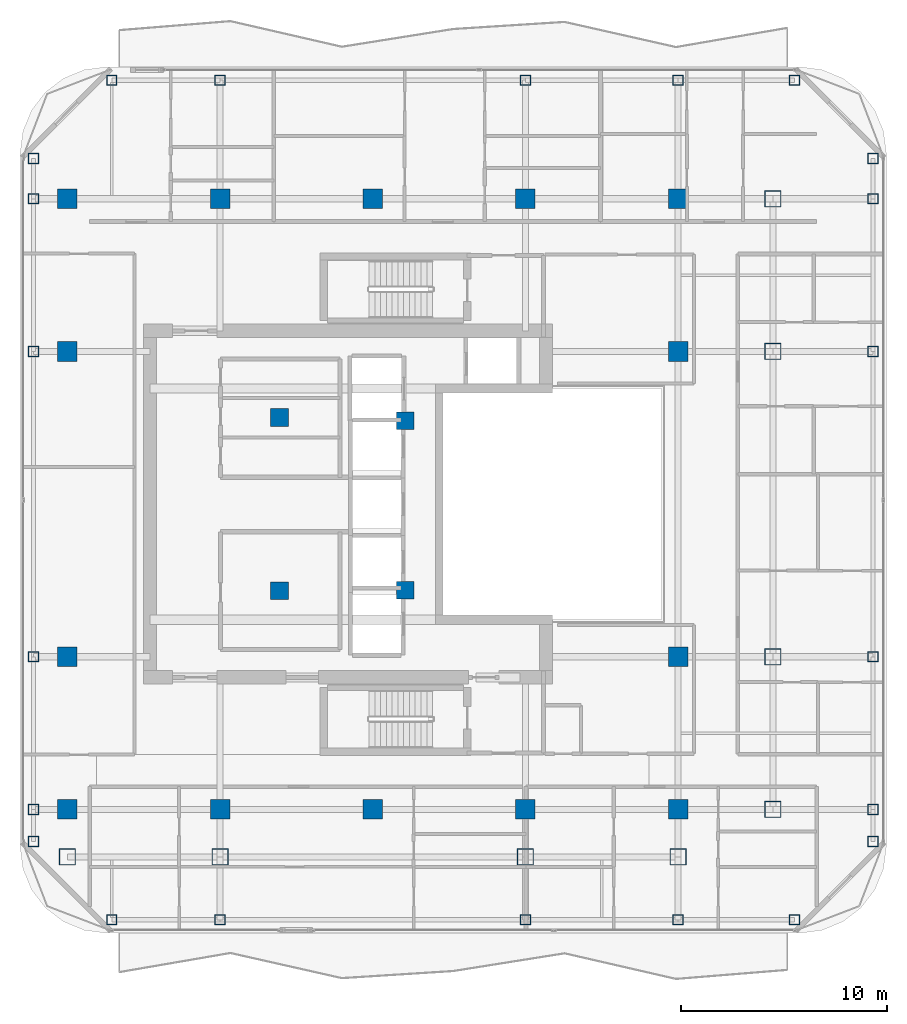
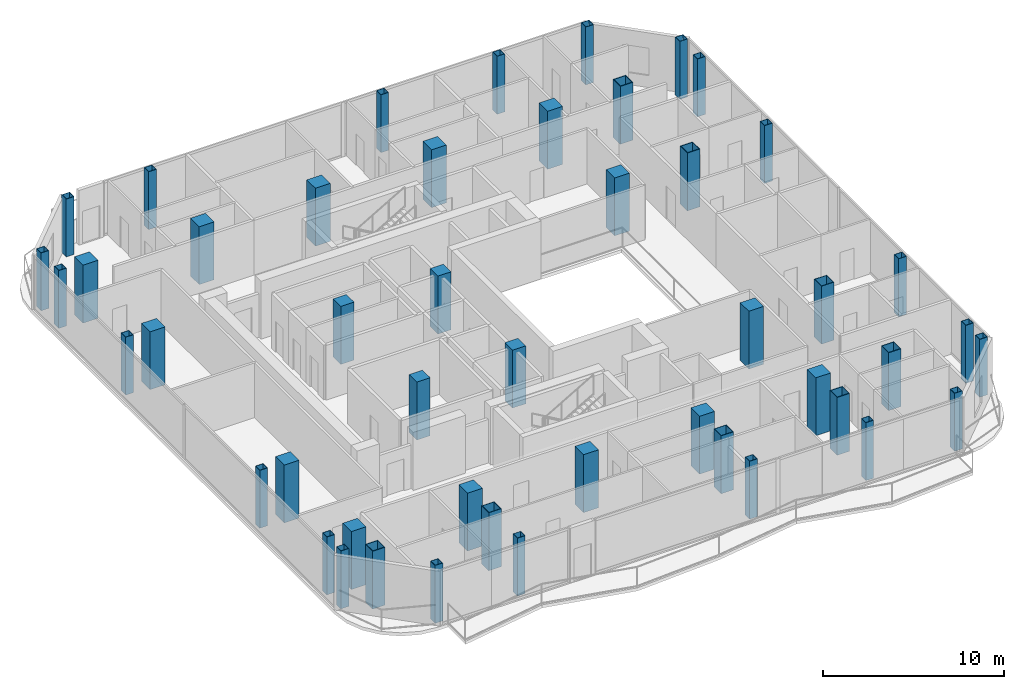
# One storey, part 1 of 23: 48 columns.
"""IFC4 building model written with IfcOpenShell, lengths in metres."""

from ifc_helpers import new_model, si_unit, direction, frame, origin, origin_2d, place, context, subcontext, project, spatial, rectangle, hollow_rectangle, extrude, material, material_profile, profile_set, type_object, element, save


model = new_model("IFC4")

# Units and contexts
model_context = context("Model", 3, precision=1e-05, world=origin(), true_north=direction((0.0, 1.0)))
body_context = subcontext(model_context, "Body", "Model", "MODEL_VIEW")
ifc_project = project(units=[si_unit("LENGTHUNIT", "METRE"), si_unit("AREAUNIT", "SQUARE_METRE"), si_unit("VOLUMEUNIT", "CUBIC_METRE"), si_unit("PLANEANGLEUNIT", "RADIAN"), si_unit("MASSUNIT", "GRAM", prefix="KILO")], contexts=[model_context])

# Site, building, storey
site_placement = place(None, origin())
site = spatial("IfcSite", under=ifc_project, at=site_placement, CompositionType="ELEMENT")
building_placement = place(site_placement, origin())
building = spatial("IfcBuilding", under=site, at=building_placement, Name="Khorvyn Point Tower", CompositionType="ELEMENT")
storey_placement = place(building_placement, frame((0.0, 0.0, 258.60009765625)))
storey = spatial("IfcBuildingStorey", under=building, at=storey_placement, Name="L63", CompositionType="ELEMENT", Elevation=258.60009765625)

# Columns
ifc_material_1 = material(Name="Concrete C40/50", Category="concrete")
ifc_material_profile_1 = material_profile(ifc_material_1, rectangle(XDim=0.85009765625, YDim=0.85009765625, at=origin_2d()))
ifc_profile_set_1 = profile_set([ifc_material_profile_1], Name="Concrete C40/50 RC850x850")
column_type_1 = type_object("IfcColumnType", Name="Concrete C40/50 Column RC850x850", PredefinedType="COLUMN", material=ifc_profile_set_1)
for number, where, z_axis, x_axis, name in (
    (1, (-4.52001953125, -4.199951171875, 0.0), (0.0, 0.0, 1.0), (1.0, 0.0, 0.0), "L63 Crown Core Spine Column 1"),
    (2, (1.580078125, -4.179931640625, 0.0), (0.0, 0.0, 1.0), (1.0, 0.0, 0.0), "L63 Crown Core Spine Column 2"),
    (3, (1.580078125, 4.050048828125, 0.0), (0.0, 0.0, 1.0), (1.0, 0.0, 0.0), "L63 Crown Core Spine Column 3"),
    (4, (-4.52001953125, 4.199951171875, 0.0), (0.0, 0.0, 1.0), (1.0, 0.0, 0.0), "L63 Crown Core Spine Column 4"),
):
    element("IfcColumn", number, at=place(storey_placement, frame(where, z_axis=z_axis, x_axis=x_axis)), inside=storey, type_object=column_type_1, Name=name, PredefinedType="COLUMN", context=body_context, shape_type="SweptSolid", body=[
        extrude(rectangle(XDim=0.85009765625, YDim=0.85009765625, at=origin_2d()), origin(), (0.0, 0.0, 1.0), 3.89990234375),
    ])
ifc_material_profile_2 = material_profile(ifc_material_1, rectangle(XDim=0.949951171875, YDim=0.949951171875, at=origin_2d()))
ifc_profile_set_2 = profile_set([ifc_material_profile_2], Name="Concrete C40/50 RC950x950")
column_type_2 = type_object("IfcColumnType", Name="Concrete C40/50 Column RC950x950", PredefinedType="COLUMN", material=ifc_profile_set_2)
for number, where, z_axis, x_axis, name in (
    (5, (-14.800048828125, -14.800048828125, 0.0), (0.0, 0.0, 1.0), (1.0, 0.0, 0.0), "L63 Mega-Column MC-01"),
    (6, (-7.39990234375, -14.800048828125, 0.0), (0.0, 0.0, 1.0), (1.0, 0.0, 0.0), "L63 Mega-Column MC-02"),
    (7, (0.0, -14.800048828125, 0.0), (0.0, 0.0, 1.0), (1.0, 0.0, 0.0), "L63 Mega-Column MC-03"),
    (8, (7.39990234375, -14.800048828125, 0.0), (0.0, 0.0, 1.0), (1.0, 0.0, 0.0), "L63 Mega-Column MC-04"),
    (9, (14.800048828125, -14.800048828125, 0.0), (0.0, 0.0, 1.0), (1.0, 0.0, 0.0), "L63 Mega-Column MC-05"),
    (10, (-14.800048828125, 14.800048828125, 0.0), (0.0, 0.0, 1.0), (1.0, 0.0, 0.0), "L63 Mega-Column MC-06"),
    (11, (-7.39990234375, 14.800048828125, 0.0), (0.0, 0.0, 1.0), (1.0, 0.0, 0.0), "L63 Mega-Column MC-07"),
    (12, (0.0, 14.800048828125, 0.0), (0.0, 0.0, 1.0), (1.0, 0.0, 0.0), "L63 Mega-Column MC-08"),
    (13, (7.39990234375, 14.800048828125, 0.0), (0.0, 0.0, 1.0), (1.0, 0.0, 0.0), "L63 Mega-Column MC-09"),
    (14, (14.800048828125, 14.800048828125, 0.0), (0.0, 0.0, 1.0), (1.0, 0.0, 0.0), "L63 Mega-Column MC-10"),
    (15, (-14.800048828125, -7.39990234375, 0.0), (0.0, 0.0, 1.0), (1.0, 0.0, 0.0), "L63 Mega-Column MC-11"),
    (16, (-14.800048828125, 7.39990234375, 0.0), (0.0, 0.0, 1.0), (1.0, 0.0, 0.0), "L63 Mega-Column MC-12"),
    (17, (14.800048828125, -7.39990234375, 0.0), (0.0, 0.0, 1.0), (1.0, 0.0, 0.0), "L63 Mega-Column MC-13"),
    (18, (14.800048828125, 7.39990234375, 0.0), (0.0, 0.0, 1.0), (1.0, 0.0, 0.0), "L63 Mega-Column MC-14"),
):
    element("IfcColumn", number, at=place(storey_placement, frame(where, z_axis=z_axis, x_axis=x_axis)), inside=storey, type_object=column_type_2, Name=name, PredefinedType="COLUMN", context=body_context, shape_type="SweptSolid", body=[
        extrude(rectangle(XDim=0.949951171875, YDim=0.949951171875, at=origin_2d()), origin(), (0.0, 0.0, 1.0), 3.89990234375),
    ])
ifc_material_2 = material(Name="Steel S355", Category="steel")
ifc_material_profile_3 = material_profile(ifc_material_2, hollow_rectangle(XDim=0.5, YDim=0.5, WallThickness=0.02490234375, at=origin_2d()))
ifc_profile_set_3 = profile_set([ifc_material_profile_3], Name="Steel S355 BOX500x500x25")
column_type_3 = type_object("IfcColumnType", Name="Steel S355 Structural Column BOX500x500x25", PredefinedType="COLUMN", material=ifc_profile_set_3)
for number, where, z_axis, x_axis, name in (
    (19, (-12.64990234375, -20.14990234375, 0.0), (0.0, 0.0, 1.0), (1.0, 0.0, 0.0), "L63 Perimeter Tube Column TC-01"),
    (20, (20.449951171875, -20.14990234375, 0.0), (0.0, 0.0, 1.0), (1.0, 0.0, 0.0), "L63 Perimeter Tube Column TC-02"),
    (21, (-12.64990234375, 20.550048828125, 0.0), (0.0, 0.0, 1.0), (1.0, 0.0, 0.0), "L63 Perimeter Tube Column TC-03"),
    (22, (20.449951171875, 20.550048828125, 0.0), (0.0, 0.0, 1.0), (1.0, 0.0, 0.0), "L63 Perimeter Tube Column TC-04"),
    (23, (-16.449951171875, -16.35009765625, 0.0), (0.0, 0.0, 1.0), (1.0, 0.0, 0.0), "L63 Perimeter Tube Column TC-05"),
    (24, (-16.449951171875, 16.75, 0.0), (0.0, 0.0, 1.0), (1.0, 0.0, 0.0), "L63 Perimeter Tube Column TC-06"),
    (25, (24.25, -16.35009765625, 0.0), (0.0, 0.0, 1.0), (1.0, 0.0, 0.0), "L63 Perimeter Tube Column TC-07"),
    (26, (24.25, 16.75, 0.0), (0.0, 0.0, 1.0), (1.0, 0.0, 0.0), "L63 Perimeter Tube Column TC-08"),
    (27, (-7.39990234375, -20.14990234375, 0.0), (0.0, 0.0, 1.0), (1.0, 0.0, 0.0), "L63 Perimeter Tube Column TC-09"),
    (28, (-7.39990234375, 20.550048828125, 0.0), (0.0, 0.0, 1.0), (1.0, 0.0, 0.0), "L63 Perimeter Tube Column TC-10"),
    (29, (7.39990234375, -20.14990234375, 0.0), (0.0, 0.0, 1.0), (1.0, 0.0, 0.0), "L63 Perimeter Tube Column TC-11"),
    (30, (7.39990234375, 20.550048828125, 0.0), (0.0, 0.0, 1.0), (1.0, 0.0, 0.0), "L63 Perimeter Tube Column TC-12"),
    (31, (14.800048828125, -20.14990234375, 0.0), (0.0, 0.0, 1.0), (1.0, 0.0, 0.0), "L63 Perimeter Tube Column TC-13"),
    (32, (14.800048828125, 20.550048828125, 0.0), (0.0, 0.0, 1.0), (1.0, 0.0, 0.0), "L63 Perimeter Tube Column TC-14"),
    (33, (-16.449951171875, -14.800048828125, 0.0), (0.0, 0.0, 1.0), (1.0, 0.0, 0.0), "L63 Perimeter Tube Column TC-15"),
    (34, (24.25, -14.800048828125, 0.0), (0.0, 0.0, 1.0), (1.0, 0.0, 0.0), "L63 Perimeter Tube Column TC-16"),
    (35, (-16.449951171875, -7.39990234375, 0.0), (0.0, 0.0, 1.0), (1.0, 0.0, 0.0), "L63 Perimeter Tube Column TC-17"),
    (36, (24.25, -7.39990234375, 0.0), (0.0, 0.0, 1.0), (1.0, 0.0, 0.0), "L63 Perimeter Tube Column TC-18"),
    (37, (-16.449951171875, 7.39990234375, 0.0), (0.0, 0.0, 1.0), (1.0, 0.0, 0.0), "L63 Perimeter Tube Column TC-19"),
    (38, (24.25, 7.39990234375, 0.0), (0.0, 0.0, 1.0), (1.0, 0.0, 0.0), "L63 Perimeter Tube Column TC-20"),
    (39, (-16.449951171875, 14.800048828125, 0.0), (0.0, 0.0, 1.0), (1.0, 0.0, 0.0), "L63 Perimeter Tube Column TC-21"),
    (40, (24.25, 14.800048828125, 0.0), (0.0, 0.0, 1.0), (1.0, 0.0, 0.0), "L63 Perimeter Tube Column TC-22"),
):
    element("IfcColumn", number, at=place(storey_placement, frame(where, z_axis=z_axis, x_axis=x_axis)), inside=storey, type_object=column_type_3, Name=name, PredefinedType="COLUMN", context=body_context, shape_type="SweptSolid", body=[
        extrude(hollow_rectangle(XDim=0.5, YDim=0.5, WallThickness=0.02490234375, at=origin_2d()), origin(), (0.0, 0.0, 1.0), 3.89990234375),
    ])
ifc_material_3 = material(Name="Steel S450", Category="steel")
ifc_material_profile_4 = material_profile(ifc_material_3, hollow_rectangle(XDim=0.800048828125, YDim=0.800048828125, WallThickness=0.035888671875, at=origin_2d()))
ifc_profile_set_4 = profile_set([ifc_material_profile_4], Name="Steel S450 BOX800x800x36")
column_type_4 = type_object("IfcColumnType", Name="Steel S450 Structural Column BOX800x800x36", PredefinedType="COLUMN", material=ifc_profile_set_4)
for number, where, z_axis, x_axis, name in (
    (41, (19.39990234375, -14.800048828125, 0.0), (0.0, 0.0, 1.0), (1.0, 0.0, 0.0), "L63 Intermediate Column ICE--14"),
    (42, (19.39990234375, -7.39990234375, 0.0), (0.0, 0.0, 1.0), (1.0, 0.0, 0.0), "L63 Intermediate Column ICE--7"),
    (43, (19.39990234375, 7.39990234375, 0.0), (0.0, 0.0, 1.0), (1.0, 0.0, 0.0), "L63 Intermediate Column ICE-7"),
    (44, (19.39990234375, 14.800048828125, 0.0), (0.0, 0.0, 1.0), (1.0, 0.0, 0.0), "L63 Intermediate Column ICE-14"),
    (45, (-14.800048828125, -17.10009765625, 0.0), (0.0, 0.0, 1.0), (1.0, 0.0, 0.0), "L63 Intermediate Column ICS--14"),
    (46, (-7.39990234375, -17.10009765625, 0.0), (0.0, 0.0, 1.0), (1.0, 0.0, 0.0), "L63 Intermediate Column ICS--7"),
    (47, (7.39990234375, -17.10009765625, 0.0), (0.0, 0.0, 1.0), (1.0, 0.0, 0.0), "L63 Intermediate Column ICS-7"),
    (48, (14.800048828125, -17.10009765625, 0.0), (0.0, 0.0, 1.0), (1.0, 0.0, 0.0), "L63 Intermediate Column ICS-14"),
):
    element("IfcColumn", number, at=place(storey_placement, frame(where, z_axis=z_axis, x_axis=x_axis)), inside=storey, type_object=column_type_4, Name=name, PredefinedType="COLUMN", context=body_context, shape_type="SweptSolid", body=[
        extrude(hollow_rectangle(XDim=0.800048828125, YDim=0.800048828125, WallThickness=0.035888671875, at=origin_2d()), origin(), (0.0, 0.0, 1.0), 3.89990234375),
    ])

save(model, "model.ifc")
